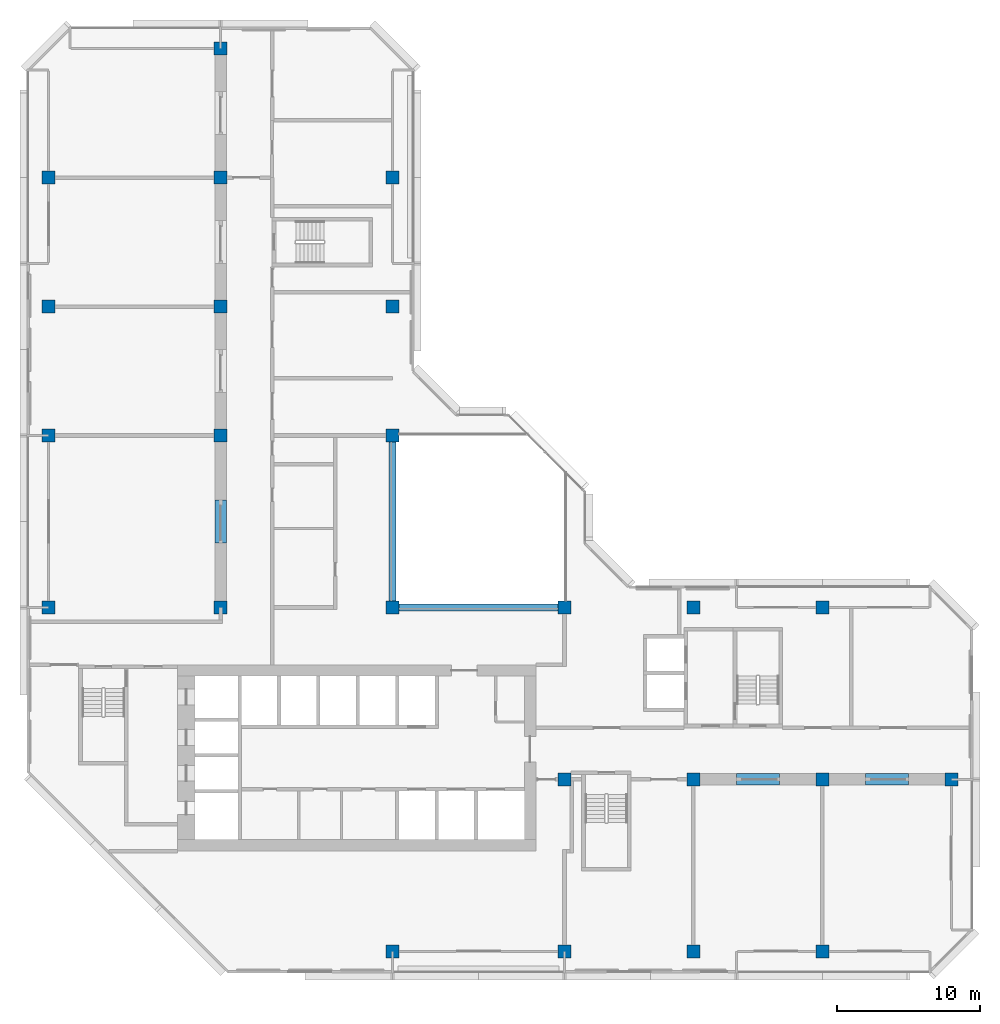
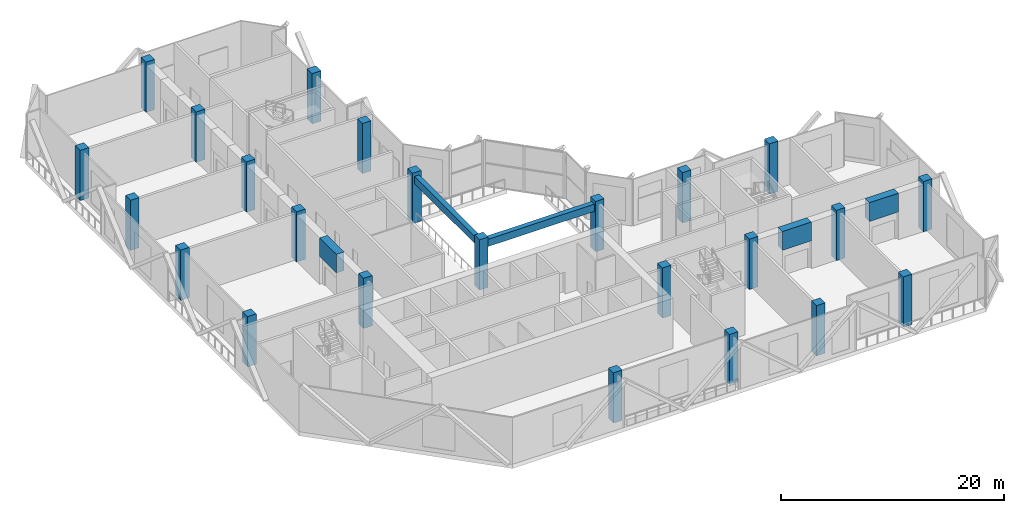
# One storey, part 1 of 11: 24 columns, 5 beams.
"""IFC4 building model written with IfcOpenShell, lengths in metres."""

from ifc_helpers import new_model, si_unit, direction, frame, origin, origin_2d, place, context, subcontext, project, spatial, rectangle, extrude, material, material_profile, profile_set, type_object, element, save


model = new_model("IFC4")

# Units and contexts
model_context = context("Model", 3, precision=1e-05, world=origin(), true_north=direction((0.0, 1.0)))
body_context = subcontext(model_context, "Body", "Model", "MODEL_VIEW")
ifc_project = project(units=[si_unit("LENGTHUNIT", "METRE"), si_unit("AREAUNIT", "SQUARE_METRE"), si_unit("VOLUMEUNIT", "CUBIC_METRE"), si_unit("PLANEANGLEUNIT", "RADIAN"), si_unit("MASSUNIT", "GRAM", prefix="KILO")], contexts=[model_context])

# Site, building, storey
site_placement = place(None, origin())
site = spatial("IfcSite", under=ifc_project, at=site_placement, CompositionType="ELEMENT")
building_placement = place(site_placement, origin())
building = spatial("IfcBuilding", under=site, at=building_placement, Name="Chenar Terraces", CompositionType="ELEMENT")
storey_placement = place(building_placement, frame((0.0, 0.0, 206.14990234375)))
storey = spatial("IfcBuildingStorey", under=building, at=storey_placement, Name="L48", CompositionType="ELEMENT", Elevation=206.14990234375)

# Columns
ifc_material_1 = material(Name="Concrete C60/75", Category="concrete")
ifc_material_profile_1 = material_profile(ifc_material_1, rectangle(XDim=0.89990234375, YDim=0.89990234375, at=origin_2d()), Name="C 900 x 900")
ifc_profile_set_1 = profile_set([ifc_material_profile_1], Name="Concrete C60/75")
column_type = type_object("IfcColumnType", Name="Column C 900 x 900 Concrete C60/75", PredefinedType="COLUMN", material=ifc_profile_set_1)
column_1_placement = place(storey_placement, frame((0.0, 24.0, 0.0), z_axis=(0.0, 0.0, 1.0), x_axis=(1.0, 0.0, 0.0)))
element("IfcColumn", 1, at=column_1_placement, inside=storey, type_object=column_type, Name="Column 5/G L48", PredefinedType="COLUMN", context=body_context, shape_type="SweptSolid", body=[
    extrude(rectangle(XDim=0.89990234375, YDim=0.89990234375, at=origin_2d()), origin(), (0.0, 0.0, 1.0), 5.5),
])
column_2_placement = place(storey_placement, frame((0.0, 36.0, 0.0), z_axis=(0.0, 0.0, 1.0), x_axis=(1.0, 0.0, 0.0)))
element("IfcColumn", 2, at=column_2_placement, inside=storey, type_object=column_type, Name="Column 5/H L48", PredefinedType="COLUMN", context=body_context, shape_type="SweptSolid", body=[
    extrude(rectangle(XDim=0.89990234375, YDim=0.89990234375, at=origin_2d()), origin(), (0.0, 0.0, 1.0), 5.5),
])
column_3_placement = place(storey_placement, frame((0.0, 45.0, 0.0), z_axis=(0.0, 0.0, 1.0), x_axis=(1.0, 0.0, 0.0)))
element("IfcColumn", 3, at=column_3_placement, inside=storey, type_object=column_type, Name="Column 5/J L48", PredefinedType="COLUMN", context=body_context, shape_type="SweptSolid", body=[
    extrude(rectangle(XDim=0.89990234375, YDim=0.89990234375, at=origin_2d()), origin(), (0.0, 0.0, 1.0), 5.5),
])
for number, where, z_axis, x_axis, name in (
    (4, (0.0, 54.0, 0.0), (0.0, 0.0, 1.0), (1.0, 0.0, 0.0), "Column 5/K L48"),
    (5, (12.0, 24.0, 0.0), (0.0, 0.0, 1.0), (1.0, 0.0, 0.0), "Column 6/G L48"),
    (6, (12.0, 36.0, 0.0), (0.0, 0.0, 1.0), (1.0, 0.0, 0.0), "Column 6/H L48"),
    (7, (12.0, 45.0, 0.0), (0.0, 0.0, 1.0), (1.0, 0.0, 0.0), "Column 6/J L48"),
    (8, (12.0, 54.0, 0.0), (0.0, 0.0, 1.0), (1.0, 0.0, 0.0), "Column 6/K L48"),
    (9, (12.0, 63.0, 0.0), (0.0, 0.0, 1.0), (1.0, 0.0, 0.0), "Column 6/L L48"),
    (10, (24.0, 0.0, 0.0), (0.0, 0.0, 1.0), (1.0, 0.0, 0.0), "Column 7/E L48"),
    (11, (24.0, 24.0, 0.0), (0.0, 0.0, 1.0), (1.0, 0.0, 0.0), "Column 7/G L48"),
    (12, (24.0, 36.0, 0.0), (0.0, 0.0, 1.0), (1.0, 0.0, 0.0), "Column 7/H L48"),
    (13, (24.0, 45.0, 0.0), (0.0, 0.0, 1.0), (1.0, 0.0, 0.0), "Column 7/J L48"),
    (14, (24.0, 54.0, 0.0), (0.0, 0.0, 1.0), (1.0, 0.0, 0.0), "Column 7/K L48"),
    (15, (36.0, 0.0, 0.0), (0.0, 0.0, 1.0), (1.0, 0.0, 0.0), "Column 8/E L48"),
    (16, (36.0, 12.0, 0.0), (0.0, 0.0, 1.0), (1.0, 0.0, 0.0), "Column 8/F L48"),
    (17, (36.0, 24.0, 0.0), (0.0, 0.0, 1.0), (1.0, 0.0, 0.0), "Column 8/G L48"),
    (18, (45.0, 0.0, 0.0), (0.0, 0.0, 1.0), (1.0, 0.0, 0.0), "Column 9/E L48"),
):
    element("IfcColumn", number, at=place(storey_placement, frame(where, z_axis=z_axis, x_axis=x_axis)), inside=storey, type_object=column_type, Name=name, PredefinedType="COLUMN", context=body_context, shape_type="SweptSolid", body=[
        extrude(rectangle(XDim=0.89990234375, YDim=0.89990234375, at=origin_2d()), origin(), (0.0, 0.0, 1.0), 5.5),
    ])
column_4_placement = place(storey_placement, frame((45.0, 12.0, 0.0), z_axis=(0.0, 0.0, 1.0), x_axis=(1.0, 0.0, 0.0)))
element("IfcColumn", 19, at=column_4_placement, inside=storey, type_object=column_type, Name="Column 9/F L48", PredefinedType="COLUMN", context=body_context, shape_type="SweptSolid", body=[
    extrude(rectangle(XDim=0.89990234375, YDim=0.89990234375, at=origin_2d()), origin(), (0.0, 0.0, 1.0), 5.5),
])
for number, where, z_axis, x_axis, name in (
    (20, (45.0, 24.0, 0.0), (0.0, 0.0, 1.0), (1.0, 0.0, 0.0), "Column 9/G L48"),
    (21, (54.0, 0.0, 0.0), (0.0, 0.0, 1.0), (1.0, 0.0, 0.0), "Column 10/E L48"),
):
    element("IfcColumn", number, at=place(storey_placement, frame(where, z_axis=z_axis, x_axis=x_axis)), inside=storey, type_object=column_type, Name=name, PredefinedType="COLUMN", context=body_context, shape_type="SweptSolid", body=[
        extrude(rectangle(XDim=0.89990234375, YDim=0.89990234375, at=origin_2d()), origin(), (0.0, 0.0, 1.0), 5.5),
    ])
column_5_placement = place(storey_placement, frame((54.0, 12.0, 0.0), z_axis=(0.0, 0.0, 1.0), x_axis=(1.0, 0.0, 0.0)))
element("IfcColumn", 22, at=column_5_placement, inside=storey, type_object=column_type, Name="Column 10/F L48", PredefinedType="COLUMN", context=body_context, shape_type="SweptSolid", body=[
    extrude(rectangle(XDim=0.89990234375, YDim=0.89990234375, at=origin_2d()), origin(), (0.0, 0.0, 1.0), 5.5),
])
for number, where, z_axis, x_axis, name in (
    (23, (54.0, 24.0, 0.0), (0.0, 0.0, 1.0), (1.0, 0.0, 0.0), "Column 10/G L48"),
    (24, (63.0, 12.0, 0.0), (0.0, 0.0, 1.0), (1.0, 0.0, 0.0), "Column 11/F L48"),
):
    element("IfcColumn", number, at=place(storey_placement, frame(where, z_axis=z_axis, x_axis=x_axis)), inside=storey, type_object=column_type, Name=name, PredefinedType="COLUMN", context=body_context, shape_type="SweptSolid", body=[
        extrude(rectangle(XDim=0.89990234375, YDim=0.89990234375, at=origin_2d()), origin(), (0.0, 0.0, 1.0), 5.5),
    ])

# Beams
ifc_material_2 = material(Name="Concrete C40/50", Category="concrete")
ifc_material_profile_2 = material_profile(ifc_material_2, rectangle(XDim=0.5, YDim=0.800048828125, at=origin_2d()), Name="RC 500 x 800")
ifc_profile_set_2 = profile_set([ifc_material_profile_2], Name="Concrete C40/50")
beam_type_1 = type_object("IfcBeamType", Name="Atrium edge beam 500 x 800 Concrete C40/50", PredefinedType="BEAM", material=ifc_profile_set_2)
for number, where, z_axis, x_axis, name in (
    (25, (24.449951171875, 24.0, 4.7001953125), (1.0, 0.0, 0.0), (0.0, 1.0, 0.0), "Atrium edge beam L49 1"),
    (26, (24.0, 35.550048828125, 4.7001953125), (0.0, -1.0, 0.0), (1.0, 0.0, 0.0), "Atrium edge beam L49 4"),
):
    element("IfcBeam", number, at=place(storey_placement, frame(where, z_axis=z_axis, x_axis=x_axis)), inside=storey, type_object=beam_type_1, Name=name, PredefinedType="BEAM", context=body_context, shape_type="SweptSolid", body=[
        extrude(rectangle(XDim=0.5, YDim=0.800048828125, at=origin_2d()), origin(), (0.0, 0.0, 1.0), 11.10009765625),
    ])
ifc_material_3 = material(Name="Concrete C60/75", Category="concrete")
ifc_material_profile_3 = material_profile(ifc_material_3, rectangle(XDim=0.800048828125, YDim=2.050048828125, at=origin_2d()), Name="RC 800 x 2050")
ifc_profile_set_3 = profile_set([ifc_material_profile_3], Name="Concrete C60/75")
beam_type_2 = type_object("IfcBeamType", Name="Belt lintel beam 800 x 2050 Concrete C60/75", PredefinedType="BEAM", material=ifc_profile_set_3)
for number, where, z_axis, x_axis, name in (
    (27, (48.0, 12.0, 4.0751953125), (1.0, 0.0, 0.0), (0.0, 1.0, 0.0), "Belt lintel beam L48 A1"),
    (28, (57.0, 12.0, 4.0751953125), (1.0, 0.0, 0.0), (0.0, 1.0, 0.0), "Belt lintel beam L48 A2"),
    (29, (12.0, 28.5, 4.0751953125), (0.0, 1.0, 0.0), (-1.0, 0.0, 0.0), "Belt lintel beam L48 B1"),
):
    element("IfcBeam", number, at=place(storey_placement, frame(where, z_axis=z_axis, x_axis=x_axis)), inside=storey, type_object=beam_type_2, Name=name, PredefinedType="BEAM", context=body_context, shape_type="SweptSolid", body=[
        extrude(rectangle(XDim=0.800048828125, YDim=2.050048828125, at=origin_2d()), origin(), (0.0, 0.0, 1.0), 3.0),
    ])

save(model, "model.ifc")
